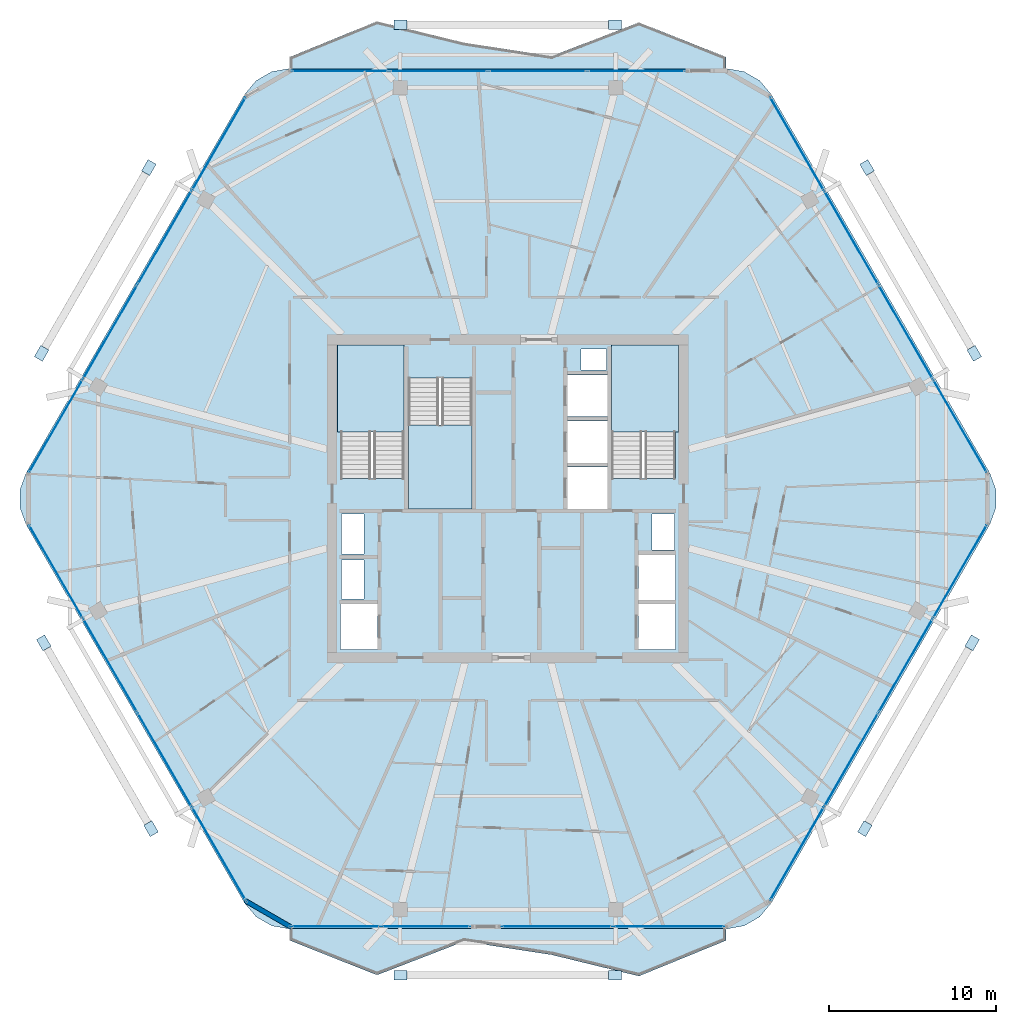
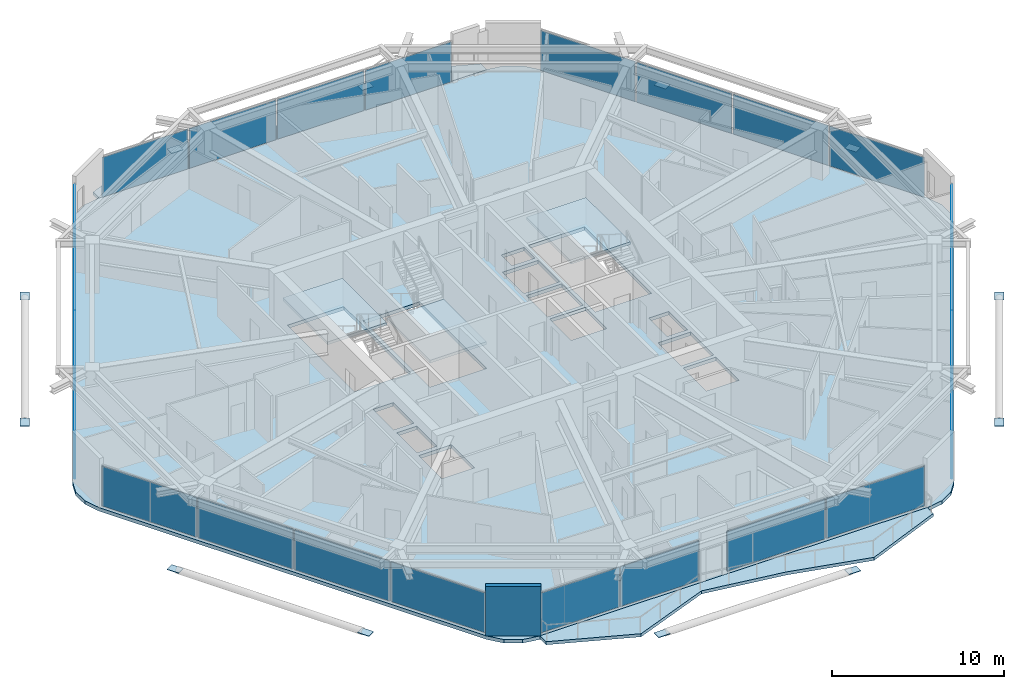
# One storey, part 18 of 26: 36 plates, 6 slabs, 1 wall, 10 elements without a shape of their own.
"""IFC4 building model written with IfcOpenShell, lengths in metres."""

import ifcopenshell
import ifcopenshell.guid

model = None  # the IFC model being written
_history = None  # IfcOwnerHistory: only IFC2X3 demands one
_inside = {}  # id of a spatial element -> (the spatial element, [elements in it])
_under = {}  # id of a project, library or spatial element -> (it, [spatial elements below it])
_declared = {}  # id of a project -> (the project, [libraries it declares])
_typed = {}  # id of a type object -> (the type object, [elements of that type])
_made_of = {}  # id of a material, layer set ... -> (it, [elements and type objects made of it])


def new_model(schema):
    """Start an empty IFC model of exactly this schema.

    Asked for "IFC4X3", IfcOpenShell would pick the latest addendum, in which some entities
    have other attributes; the version numbers below select the first issue.
    IFC2X3 requires an IfcOwnerHistory on every rooted entity: one is made here for all.
    """
    global model, _history
    if schema == "IFC4X3":
        model = ifcopenshell.file(schema_version=(4, 3, 0, 0))
    else:
        model = ifcopenshell.file(schema=schema)
    _inside.clear()
    _under.clear()
    _declared.clear()
    _typed.clear()
    _made_of.clear()
    _history = None
    if model.schema == "IFC2X3":
        org = make("IfcOrganization", Name="unknown")
        user = make(
            "IfcPersonAndOrganization",
            ThePerson=make("IfcPerson", FamilyName="unknown"),
            TheOrganization=org,
        )
        app = make(
            "IfcApplication",
            ApplicationDeveloper=org,
            Version="unknown",
            ApplicationFullName="unknown",
            ApplicationIdentifier="unknown",
        )
        _history = make(
            "IfcOwnerHistory",
            OwningUser=user,
            OwningApplication=app,
            ChangeAction="ADDED",
            CreationDate=0,
        )
    return model


def make(cls, **values):
    """One entity of the class cls with the attributes given. An attribute that is None is left unset."""
    return model.create_entity(
        cls, **{name: value for name, value in values.items() if value is not None}
    )


def rooted(cls, **values):
    """An entity with a GlobalId (a new one), such as an element, a storey or a relation."""
    return make(cls, GlobalId=ifcopenshell.guid.new(), OwnerHistory=_history, **values)


def si_unit(unit_type, name, prefix=None):
    """IfcSIUnit, for example si_unit("LENGTHUNIT", "METRE", prefix="MILLI")."""
    return make("IfcSIUnit", UnitType=unit_type, Prefix=prefix, Name=name)


def assignment(units):
    """IfcUnitAssignment: the units of a project."""
    return None if units is None else make("IfcUnitAssignment", Units=units)


def point(xyz):
    """IfcCartesianPoint."""
    return None if xyz is None else make("IfcCartesianPoint", Coordinates=xyz)


def direction(xyz):
    """IfcDirection."""
    return None if xyz is None else make("IfcDirection", DirectionRatios=xyz)


def frame(location, z_axis=None, x_axis=None):
    """IfcAxis2Placement3D, a coordinate frame: its origin and axes. An axis left out is left unset."""
    return make(
        "IfcAxis2Placement3D",
        Location=point(location),
        Axis=direction(z_axis),
        RefDirection=direction(x_axis),
    )


def frame_2d(location, x_axis=None):
    """IfcAxis2Placement2D, a coordinate frame in the plane: its origin and x axis."""
    return make(
        "IfcAxis2Placement2D", Location=point(location), RefDirection=direction(x_axis)
    )


def origin():
    """The frame at (0, 0, 0) with its axes left unset."""
    return frame((0.0, 0.0, 0.0))


def origin_2d():
    """The frame at (0, 0) in the plane with its x axis left unset."""
    return frame_2d((0.0, 0.0))


def place(relative_to, where):
    """IfcLocalPlacement: puts the frame where relative to a parent placement (None: the world)."""
    return make(
        "IfcLocalPlacement", PlacementRelTo=relative_to, RelativePlacement=where
    )


def context(
    kind, dimensions, precision=None, world=None, true_north=None, identifier=None
):
    """IfcGeometricRepresentationContext, for example the 3D "Model" context."""
    return make(
        "IfcGeometricRepresentationContext",
        ContextIdentifier=identifier,
        ContextType=kind,
        CoordinateSpaceDimension=dimensions,
        Precision=precision,
        WorldCoordinateSystem=world,
        TrueNorth=true_north,
    )


def subcontext(parent, identifier, kind, view, scale=None):
    """IfcGeometricRepresentationSubContext, for example "Body" below "Model"."""
    return make(
        "IfcGeometricRepresentationSubContext",
        ContextIdentifier=identifier,
        ContextType=kind,
        ParentContext=parent,
        TargetScale=scale,
        TargetView=view,
    )


def project(units=None, contexts=None):
    """IfcProject with its units and contexts."""
    return rooted(
        "IfcProject",
        Name="project",
        RepresentationContexts=contexts,
        UnitsInContext=assignment(units),
    )


def spatial(cls, under=None, at=None, **own):
    """A site, building, storey or space (cls), placed at a placement, below another one or the project."""
    s = rooted(cls, ObjectPlacement=at, **own)
    if under is not None:
        _under.setdefault(under.id(), (under, []))[1].append(s)
    return s


def polyline(points):
    """IfcPolyline through the points."""
    return make("IfcPolyline", Points=[point(p) for p in points])


def profile(cls, at=None, kind="AREA", **sizes):
    """A parametric profile (cls). Its sizes go by their IFC names, for example OverallWidth=200.0."""
    return make(cls, ProfileType=kind, Position=at, **sizes)


def rectangle(**sizes):
    """IfcRectangleProfileDef."""
    return profile("IfcRectangleProfileDef", **sizes)


def outline(outer, holes=None, kind="AREA"):
    """IfcArbitraryClosedProfileDef: a profile drawn as a closed curve; with holes, ...WithVoids."""
    if holes is None:
        return make("IfcArbitraryClosedProfileDef", ProfileType=kind, OuterCurve=outer)
    return make(
        "IfcArbitraryProfileDefWithVoids",
        ProfileType=kind,
        OuterCurve=outer,
        InnerCurves=holes,
    )


def extrude(swept, where, along, depth):
    """IfcExtrudedAreaSolid: the profile swept, set in the frame where, extruded along a direction by depth."""
    return make(
        "IfcExtrudedAreaSolid",
        SweptArea=swept,
        Position=where,
        ExtrudedDirection=direction(along),
        Depth=depth,
    )


def shape(context_of_items, identifier, shape_type, items):
    """IfcShapeRepresentation: the items that make up one representation, for example the "Body"."""
    return make(
        "IfcShapeRepresentation",
        ContextOfItems=context_of_items,
        RepresentationIdentifier=identifier,
        RepresentationType=shape_type,
        Items=items,
    )


def material(Name=None, Category=None):
    """IfcMaterial."""
    return make("IfcMaterial", Name=Name, Category=Category)


def layer(
    of_material, thickness, ventilated=None, Name=None, Category=None, Priority=None
):
    """IfcMaterialLayer: one layer of a wall or slab, of a material (None: an air gap)."""
    return make(
        "IfcMaterialLayer",
        Material=of_material,
        LayerThickness=thickness,
        IsVentilated=ventilated,
        Name=Name,
        Category=Category,
        Priority=Priority,
    )


def layer_set(layers, Name=None):
    """IfcMaterialLayerSet."""
    return make("IfcMaterialLayerSet", MaterialLayers=layers, LayerSetName=Name)


def made_of(thing, what):
    """Note that an element or type object is made of a material, layer set ...; save() writes the relation."""
    if what is not None:
        _made_of.setdefault(what.id(), (what, []))[1].append(thing)
    return thing


def type_object(cls, material=None, **own):
    """A type object (cls), such as IfcWallType, which elements share."""
    return made_of(rooted(cls, **own), material)


def element(
    cls,
    number,
    at=None,
    inside=None,
    cuts=None,
    type_object=None,
    material=None,
    context=None,
    identifier="Body",
    shape_type=None,
    held_by="IfcProductDefinitionShape",
    body=None,
    shapes=None,
    **own,
):
    """One element of the class cls, such as IfcWall. Its Tag is "e" and its number.

    at: its placement. inside: the storey or other place that contains it. cuts: it is an
    opening in that element (IfcRelVoidsElement). A single representation is given by context,
    identifier, shape_type and body (its items); several are given by shapes. held_by: the class
    of the entity that holds the representations. save() writes the other relations.
    """
    e = rooted(cls, Tag="e%d" % number, ObjectPlacement=at, **own)
    if body is not None:
        shapes = [shape(context, identifier, shape_type, body)]
    if shapes is not None:
        e.Representation = make(held_by, Representations=shapes)
    if inside is not None:
        _inside.setdefault(inside.id(), (inside, []))[1].append(e)
    if cuts is not None:
        rooted(
            "IfcRelVoidsElement", RelatingBuildingElement=cuts, RelatedOpeningElement=e
        )
    if type_object is not None:
        _typed.setdefault(type_object.id(), (type_object, []))[1].append(e)
    return made_of(e, material)


def aggregate(whole, parts):
    """IfcRelAggregates: a whole, such as a stair, and the parts it consists of."""
    return rooted("IfcRelAggregates", RelatingObject=whole, RelatedObjects=parts)


def save(model, path):
    """Write the relations noted so far, then the file.

    IfcRelAggregates (storeys below a building ...), IfcRelContainedInSpatialStructure (elements
    in a storey), IfcRelDefinesByType, IfcRelAssociatesMaterial and IfcRelDeclares: one each for
    every whole, place, type object, material and project.
    """
    for whole, parts in _under.values():
        aggregate(whole, parts)
    for where, things in _inside.values():
        rooted(
            "IfcRelContainedInSpatialStructure",
            RelatedElements=things,
            RelatingStructure=where,
        )
    for kind, things in _typed.values():
        rooted("IfcRelDefinesByType", RelatedObjects=things, RelatingType=kind)
    for what, things in _made_of.values():
        rooted("IfcRelAssociatesMaterial", RelatedObjects=things, RelatingMaterial=what)
    for by, libraries in _declared.values():
        rooted("IfcRelDeclares", RelatingContext=by, RelatedDefinitions=libraries)
    model.write(path)


model = new_model("IFC4")

# Units and contexts
model_context = context("Model", 3, precision=1e-05, world=origin(), true_north=direction((0.0, 1.0)))
body_context = subcontext(model_context, "Body", "Model", "MODEL_VIEW")
ifc_project = project(units=[si_unit("LENGTHUNIT", "METRE"), si_unit("AREAUNIT", "SQUARE_METRE"), si_unit("VOLUMEUNIT", "CUBIC_METRE"), si_unit("PLANEANGLEUNIT", "RADIAN"), si_unit("MASSUNIT", "GRAM", prefix="KILO")], contexts=[model_context])

# Site, building, storey
site_placement = place(None, origin())
site = spatial("IfcSite", under=ifc_project, at=site_placement, CompositionType="ELEMENT")
building_placement = place(site_placement, origin())
building = spatial("IfcBuilding", under=site, at=building_placement, Name="Zuhravey Tower", CompositionType="ELEMENT")
storey_placement = place(building_placement, frame((0.0, 0.0, 299.60009765625)))
storey = spatial("IfcBuildingStorey", under=building, at=storey_placement, Name="L76", CompositionType="ELEMENT", Elevation=299.60009765625)

# Plates
ifc_material_1 = material(Name="Steel SM460", Category="steel")
ifc_layer_1 = layer(ifc_material_1, 0.031982421875)
ifc_layer_set_1 = layer_set([ifc_layer_1], Name="Steel SM460")
plate_type_1 = type_object("IfcPlateType", Name="Exoskeleton Zone 3 Node Plate ND3", PredefinedType="SHEET", material=ifc_layer_set_1)
for number, where, z_axis, x_axis, name in (
    (1, (63.86279296875, 40.6875, -0.47998046875), (0.0, 0.0, 1.0), (-0.5, 0.866025403784, 0.0), "L76 Exoskeleton Node Gusset L76-01"),
    (2, (57.455078125, 51.785888671875, -0.47998046875), (0.0, 0.0, 1.0), (-0.5, 0.866025403784, 0.0), "L76 Exoskeleton Node Gusset L76-02"),
    (3, (42.40771484375, 60.323486328125, -0.47998046875), (0.0, 0.0, 1.0), (-1.0, 0.0, 0.0), "L76 Exoskeleton Node Gusset L76-03"),
    (4, (29.59228515625, 60.323486328125, -0.47998046875), (0.0, 0.0, 1.0), (-1.0, 0.0, 0.0), "L76 Exoskeleton Node Gusset L76-04"),
    (5, (14.544921875, 51.785888671875, -0.47998046875), (0.0, 0.0, 1.0), (-0.5, -0.866025403784, 0.0), "L76 Exoskeleton Node Gusset L76-05"),
    (6, (8.13720703125, 40.6875, -0.47998046875), (0.0, 0.0, 1.0), (-0.5, -0.866025403784, 0.0), "L76 Exoskeleton Node Gusset L76-06"),
    (7, (8.26708984375, 23.387451171875, -0.47998046875), (0.0, 0.0, 1.0), (0.5, -0.866025403784, 0.0), "L76 Exoskeleton Node Gusset L76-07"),
    (8, (14.6748046875, 12.2890625, -0.47998046875), (0.0, 0.0, 1.0), (0.5, -0.866025403784, 0.0), "L76 Exoskeleton Node Gusset L76-08"),
    (9, (29.59228515625, 3.5263671875, -0.47998046875), (0.0, 0.0, 1.0), (1.0, 0.0, 0.0), "L76 Exoskeleton Node Gusset L76-09"),
    (10, (42.40771484375, 3.5263671875, -0.47998046875), (0.0, 0.0, 1.0), (1.0, 0.0, 0.0), "L76 Exoskeleton Node Gusset L76-10"),
    (11, (57.3251953125, 12.2890625, -0.47998046875), (0.0, 0.0, 1.0), (0.5, 0.866025403784, 0.0), "L76 Exoskeleton Node Gusset L76-11"),
    (12, (63.73291015625, 23.387451171875, -0.47998046875), (0.0, 0.0, 1.0), (0.5, 0.866025403784, 0.0), "L76 Exoskeleton Node Gusset L76-12"),
):
    element("IfcPlate", number, at=place(storey_placement, frame(where, z_axis=z_axis, x_axis=x_axis)), inside=storey, type_object=plate_type_1, Name=name, PredefinedType="SHEET", context=body_context, shape_type="SweptSolid", body=[
        extrude(rectangle(XDim=0.780029296875, YDim=0.56005859375, at=origin_2d()), origin(), (0.0, 0.0, 1.0), 0.031982421875),
    ])

# Slabs
ifc_material_2 = material(Name="Concrete C50/60", Category="concrete")
ifc_layer_2 = layer(ifc_material_2, 0.25)
ifc_layer_set_2 = layer_set([ifc_layer_2], Name="Concrete C50/60")
slab_type_1 = type_object("IfcSlabType", Name="Residential Acoustic Slab 250", PredefinedType="FLOOR", material=ifc_layer_set_2)
slab_1_placement = place(storey_placement, frame((0.0, 0.0, -0.25)))
element("IfcSlab", 13, at=slab_1_placement, inside=storey, type_object=slab_type_1, Name="L76 Floor Slab FS25", PredefinedType="FLOOR", context=body_context, shape_type="SweptSolid", body=[
    extrude(outline(polyline([(64.78515625, 30.449951171875), (65.1533203125, 31.461669921875), (65.1533203125, 32.538330078125), (64.78515625, 33.550048828125), (51.73486328125, 56.153564453125), (51.04296875, 56.978515625), (50.110595703125, 57.5166015625), (49.05029296875, 57.70361328125), (22.94970703125, 57.70361328125), (21.889404296875, 57.5166015625), (20.95703125, 56.978515625), (20.26513671875, 56.153564453125), (7.21484375, 33.550048828125), (6.8466796875, 32.538330078125), (6.8466796875, 31.461669921875), (7.21484375, 30.449951171875), (20.26513671875, 7.846435546875), (20.95703125, 7.021484375), (21.889404296875, 6.4833984375), (22.94970703125, 6.29638671875), (49.05029296875, 6.29638671875), (50.110595703125, 6.4833984375), (51.04296875, 7.021484375), (51.73486328125, 7.846435546875), (64.78515625, 30.449951171875)]), holes=[polyline([(29.800048828125, 33.20068359375), (29.800048828125, 41.0), (26.0, 41.0), (26.0, 33.20068359375), (29.800048828125, 33.20068359375)]), polyline([(46.0, 33.20068359375), (46.0, 41.0), (42.199951171875, 41.0), (42.199951171875, 33.20068359375), (46.0, 33.20068359375)]), polyline([(30.050048828125, 39.199462890625), (30.050048828125, 31.39990234375), (33.85009765625, 31.39990234375), (33.85009765625, 39.199462890625), (30.050048828125, 39.199462890625)]), polyline([(39.550048828125, 31.39990234375), (41.949951171875, 31.39990234375), (41.949951171875, 33.89990234375), (39.550048828125, 33.89990234375), (39.550048828125, 31.39990234375)]), polyline([(39.550048828125, 34.14990234375), (41.949951171875, 34.14990234375), (41.949951171875, 36.64990234375), (39.550048828125, 36.64990234375), (39.550048828125, 34.14990234375)]), polyline([(39.550048828125, 36.89990234375), (41.949951171875, 36.89990234375), (41.949951171875, 39.39990234375), (39.550048828125, 39.39990234375), (39.550048828125, 36.89990234375)]), polyline([(26.0, 23.0), (28.199951171875, 23.0), (28.199951171875, 25.699951171875), (26.0, 25.699951171875), (26.0, 23.0)]), polyline([(43.800048828125, 23.0), (46.0, 23.0), (46.0, 25.699951171875), (43.800048828125, 25.699951171875), (43.800048828125, 23.0)]), polyline([(43.800048828125, 25.949951171875), (46.0, 25.949951171875), (46.0, 28.64990234375), (43.800048828125, 28.64990234375), (43.800048828125, 25.949951171875)]), polyline([(26.050048828125, 26.0), (27.39990234375, 26.0), (27.39990234375, 28.35009765625), (26.050048828125, 28.35009765625), (26.050048828125, 26.0)]), polyline([(26.050048828125, 28.699951171875), (27.39990234375, 28.699951171875), (27.39990234375, 31.10009765625), (26.050048828125, 31.10009765625), (26.050048828125, 28.699951171875)]), polyline([(44.60009765625, 28.949951171875), (45.949951171875, 28.949951171875), (45.949951171875, 31.10009765625), (44.60009765625, 31.10009765625), (44.60009765625, 28.949951171875)]), polyline([(40.35009765625, 39.699951171875), (41.89990234375, 39.699951171875), (41.89990234375, 40.949951171875), (40.35009765625, 40.949951171875), (40.35009765625, 39.699951171875)])]), origin(), (0.0, 0.0, 1.0), 0.25),
])
ifc_material_3 = material(Name="Concrete C40/50", Category="concrete")
ifc_layer_3 = layer(ifc_material_3, 0.219970703125)
ifc_layer_set_3 = layer_set([ifc_layer_3], Name="Concrete C40/50")
slab_type_2 = type_object("IfcSlabType", Name="Sinusoidal Residential Wave Balcony 220", PredefinedType="FLOOR", material=ifc_layer_set_3)
slab_2_placement = place(storey_placement, frame((0.0, 0.0, -0.22021484375)))
element("IfcSlab", 14, at=slab_2_placement, inside=storey, type_object=slab_type_2, Name="L76 Face 5 Wave Balcony WB22", PredefinedType="FLOOR", context=body_context, shape_type="SweptSolid", body=[
    extrude(outline(polyline([(22.95849609375, 6.311279296875), (49.04150390625, 6.311279296875), (49.04150390625, 5.611328125), (43.824951171875, 3.47900390625), (38.6083984375, 4.753173828125), (33.3916015625, 5.554931640625), (28.175048828125, 3.54345703125), (22.95849609375, 5.611328125), (22.95849609375, 6.311279296875)])), origin(), (0.0, 0.0, 1.0), 0.22021484375),
])
slab_3_placement = place(storey_placement, frame((0.0, 0.0, -0.22021484375)))
element("IfcSlab", 15, at=slab_3_placement, inside=storey, type_object=slab_type_2, Name="L76 Face 2 Wave Balcony WB22", PredefinedType="FLOOR", context=body_context, shape_type="SweptSolid", body=[
    extrude(outline(polyline([(49.04150390625, 57.688720703125), (22.95849609375, 57.688720703125), (22.95849609375, 58.388671875), (28.175048828125, 60.52099609375), (33.3916015625, 59.246826171875), (38.6083984375, 58.445068359375), (43.824951171875, 60.45654296875), (49.04150390625, 58.388671875), (49.04150390625, 57.688720703125)])), origin(), (0.0, 0.0, 1.0), 0.22021484375),
])

# Stair, slab
stair_type = type_object("IfcStairType", Name="Housing Storey Stair Assembly 3800", PredefinedType="HALF_TURN_STAIR", material=ifc_material_3)
stair_1_placement = place(storey_placement, origin())
stair_1 = element("IfcStair", 16, at=stair_1_placement, inside=storey, type_object=stair_type, Name="L76 Core Exit Stair ST1", PredefinedType="HALF_TURN_STAIR")
ifc_layer_4 = layer(ifc_material_3, 0.199951171875)
ifc_layer_set_4 = layer_set([ifc_layer_4], Name="Concrete C40/50")
slab_type_3 = type_object("IfcSlabType", Name="Stair Landing Slab 200", PredefinedType="LANDING", material=ifc_layer_set_4)
slab_4_placement = place(storey_placement, frame((0.0, 0.0, 1.699951171875)))
slab_4 = element("IfcSlab", 17, at=slab_4_placement, type_object=slab_type_3, Name="ST1 landing 1", PredefinedType="LANDING", context=body_context, shape_type="SweptSolid", body=[
    extrude(outline(polyline([(29.800048828125, 36.0), (29.800048828125, 41.197998046875), (25.802001953125, 41.197998046875), (25.802001953125, 36.0), (29.800048828125, 36.0)])), origin(), (0.0, 0.0, 1.0), 0.199951171875),
])
aggregate(stair_1, [slab_4])

stair_2_placement = place(storey_placement, origin())
stair_2 = element("IfcStair", 18, at=stair_2_placement, inside=storey, type_object=stair_type, Name="L76 Core Exit Stair ST2", PredefinedType="HALF_TURN_STAIR")
slab_5_placement = place(storey_placement, frame((0.0, 0.0, 1.699951171875)))
slab_5 = element("IfcSlab", 19, at=slab_5_placement, type_object=slab_type_3, Name="ST2 landing 1", PredefinedType="LANDING", context=body_context, shape_type="SweptSolid", body=[
    extrude(outline(polyline([(46.197998046875, 36.0), (46.197998046875, 41.197998046875), (42.199951171875, 41.197998046875), (42.199951171875, 36.0), (46.197998046875, 36.0)])), origin(), (0.0, 0.0, 1.0), 0.199951171875),
])
aggregate(stair_2, [slab_5])

stair_3_placement = place(storey_placement, origin())
stair_3 = element("IfcStair", 20, at=stair_3_placement, inside=storey, type_object=stair_type, Name="L76 Core Exit Stair ST3", PredefinedType="HALF_TURN_STAIR")
slab_6_placement = place(storey_placement, frame((0.0, 0.0, 1.699951171875)))
slab_6 = element("IfcSlab", 21, at=slab_6_placement, type_object=slab_type_3, Name="ST3 landing 1", PredefinedType="LANDING", context=body_context, shape_type="SweptSolid", body=[
    extrude(outline(polyline([(30.050048828125, 36.39990234375), (30.050048828125, 31.39990234375), (33.85009765625, 31.39990234375), (33.85009765625, 36.39990234375), (30.050048828125, 36.39990234375)])), origin(), (0.0, 0.0, 1.0), 0.199951171875),
])
aggregate(stair_3, [slab_6])

# Curtain wall, plates
ifc_material_4 = material(Name="Thermally broken anodised aluminium", Category="aluminium")
curtain_wall_type = type_object("IfcCurtainWallType", Name="Zone 3-4 High-Rise Curtain Wall CW4", PredefinedType="NOTDEFINED", material=ifc_material_4)
curtain_wall_1_placement = place(storey_placement, origin())
curtain_wall_1 = element("IfcCurtainWall", 22, at=curtain_wall_1_placement, inside=storey, type_object=curtain_wall_type, Name="L76 CW4 CW-L76-F6-1", PredefinedType="NOTDEFINED")
ifc_material_5 = material(Name="Triple low-E insulated vision glass", Category="glass")
ifc_layer_5 = layer(ifc_material_5, 0.0419921875)
ifc_layer_set_5 = layer_set([ifc_layer_5], Name="Triple low-E insulated vision glass")
plate_type_2 = type_object("IfcPlateType", Name="Triple Low-E Vision Panel", PredefinedType="CURTAIN_PANEL", material=ifc_layer_set_5)
plate_1_placement = place(storey_placement, frame((63.00732421875, 27.650634765625, 0.08984375), z_axis=(0.0, 0.0, 1.0), x_axis=(-0.500000957414, -0.866024851021, 0.0)))
plate_1 = element("IfcPlate", 23, at=plate_1_placement, type_object=plate_type_2, Name="CW4 panel 1.1", PredefinedType="CURTAIN_PANEL", context=body_context, shape_type="SweptSolid", body=[
    extrude(rectangle(XDim=6.371337890625, YDim=0.0419921875, at=origin_2d()), origin(), (0.0, 0.0, 1.0), 2.840087890625),
])
plate_2_placement = place(storey_placement, frame((59.765380859375, 22.03564453125, 0.08984375), z_axis=(0.0, 0.0, 1.0), x_axis=(-0.500000957414, -0.866024851021, 0.0)))
plate_2 = element("IfcPlate", 24, at=plate_2_placement, type_object=plate_type_2, Name="CW4 panel 2.1", PredefinedType="CURTAIN_PANEL", context=body_context, shape_type="SweptSolid", body=[
    extrude(rectangle(XDim=6.416259765625, YDim=0.0419921875, at=origin_2d()), origin(), (0.0, 0.0, 1.0), 2.840087890625),
])
plate_3_placement = place(storey_placement, frame((56.51220703125, 16.40087890625, 0.08984375), z_axis=(0.0, 0.0, 1.0), x_axis=(-0.500000957414, -0.866024851021, 0.0)))
plate_3 = element("IfcPlate", 25, at=plate_3_placement, type_object=plate_type_2, Name="CW4 panel 3.1", PredefinedType="CURTAIN_PANEL", context=body_context, shape_type="SweptSolid", body=[
    extrude(rectangle(XDim=6.416259765625, YDim=0.0419921875, at=origin_2d()), origin(), (0.0, 0.0, 1.0), 2.840087890625),
])
plate_4_placement = place(storey_placement, frame((53.270263671875, 10.78564453125, 0.08984375), z_axis=(0.0, 0.0, 1.0), x_axis=(-0.500000957414, -0.866024851021, 0.0)))
plate_4 = element("IfcPlate", 26, at=plate_4_placement, type_object=plate_type_2, Name="CW4 panel 4.1", PredefinedType="CURTAIN_PANEL", context=body_context, shape_type="SweptSolid", body=[
    extrude(rectangle(XDim=6.371337890625, YDim=0.0419921875, at=origin_2d()), origin(), (0.0, 0.0, 1.0), 2.840087890625),
])
aggregate(curtain_wall_1, [plate_1, plate_2, plate_3, plate_4])

curtain_wall_2_placement = place(storey_placement, origin())
curtain_wall_2 = element("IfcCurtainWall", 27, at=curtain_wall_2_placement, inside=storey, type_object=curtain_wall_type, Name="L76 CW4 CW-L76-F5-1", PredefinedType="NOTDEFINED")
plate_5_placement = place(storey_placement, frame((45.618408203125, 6.436279296875, 0.08984375), z_axis=(0.0, 0.0, 1.0), x_axis=(-1.0, 0.0, 0.0)))
plate_5 = element("IfcPlate", 28, at=plate_5_placement, type_object=plate_type_2, Name="CW4 panel 1.1", PredefinedType="CURTAIN_PANEL", context=body_context, shape_type="SweptSolid", body=[
    extrude(rectangle(XDim=6.608642578125, YDim=0.0419921875, at=origin_2d()), origin(), (0.0, 0.0, 1.0), 2.840087890625),
])
plate_6_placement = place(storey_placement, frame((38.919921875, 6.436279296875, 0.08984375), z_axis=(0.0, 0.0, 1.0), x_axis=(-1.0, 0.0, 0.0)))
plate_6 = element("IfcPlate", 29, at=plate_6_placement, type_object=plate_type_2, Name="CW4 panel 2.1", PredefinedType="CURTAIN_PANEL", context=body_context, shape_type="SweptSolid", body=[
    extrude(rectangle(XDim=6.608642578125, YDim=0.0419921875, at=origin_2d()), origin(), (0.0, 0.0, 1.0), 2.840087890625),
])
aggregate(curtain_wall_2, [plate_5, plate_6])

curtain_wall_3_placement = place(storey_placement, origin())
curtain_wall_3 = element("IfcCurtainWall", 30, at=curtain_wall_3_placement, inside=storey, type_object=curtain_wall_type, Name="L76 CW4 CW-L76-F5-2", PredefinedType="NOTDEFINED")
plate_7_placement = place(storey_placement, frame((31.093505859375, 6.436279296875, 0.08984375), z_axis=(0.0, 0.0, 1.0), x_axis=(-1.0, 0.0, 0.0)))
plate_7 = element("IfcPlate", 31, at=plate_7_placement, type_object=plate_type_2, Name="CW4 panel 1.1", PredefinedType="CURTAIN_PANEL", context=body_context, shape_type="SweptSolid", body=[
    extrude(rectangle(XDim=5.2841796875, YDim=0.0419921875, at=origin_2d()), origin(), (0.0, 0.0, 1.0), 2.840087890625),
])
plate_8_placement = place(storey_placement, frame((25.719482421875, 6.436279296875, 0.08984375), z_axis=(0.0, 0.0, 1.0), x_axis=(-1.0, 0.0, 0.0)))
plate_8 = element("IfcPlate", 32, at=plate_8_placement, type_object=plate_type_2, Name="CW4 panel 2.1", PredefinedType="CURTAIN_PANEL", context=body_context, shape_type="SweptSolid", body=[
    extrude(rectangle(XDim=5.2841796875, YDim=0.0419921875, at=origin_2d()), origin(), (0.0, 0.0, 1.0), 2.840087890625),
])
aggregate(curtain_wall_3, [plate_7, plate_8])

curtain_wall_4_placement = place(storey_placement, origin())
curtain_wall_4 = element("IfcCurtainWall", 33, at=curtain_wall_4_placement, inside=storey, type_object=curtain_wall_type, Name="L76 CW4 CW-L76-F4-1", PredefinedType="NOTDEFINED")
plate_9_placement = place(storey_placement, frame((18.729736328125, 10.78564453125, 0.08984375), z_axis=(0.0, 0.0, 1.0), x_axis=(-0.500000957414, 0.866024851021, 0.0)))
plate_9 = element("IfcPlate", 34, at=plate_9_placement, type_object=plate_type_2, Name="CW4 panel 1.1", PredefinedType="CURTAIN_PANEL", context=body_context, shape_type="SweptSolid", body=[
    extrude(rectangle(XDim=6.371337890625, YDim=0.0419921875, at=origin_2d()), origin(), (0.0, 0.0, 1.0), 2.840087890625),
])
plate_10_placement = place(storey_placement, frame((15.48779296875, 16.40087890625, 0.08984375), z_axis=(0.0, 0.0, 1.0), x_axis=(-0.500000957414, 0.866024851021, 0.0)))
plate_10 = element("IfcPlate", 35, at=plate_10_placement, type_object=plate_type_2, Name="CW4 panel 2.1", PredefinedType="CURTAIN_PANEL", context=body_context, shape_type="SweptSolid", body=[
    extrude(rectangle(XDim=6.416259765625, YDim=0.0419921875, at=origin_2d()), origin(), (0.0, 0.0, 1.0), 2.840087890625),
])
plate_11_placement = place(storey_placement, frame((12.234619140625, 22.03564453125, 0.08984375), z_axis=(0.0, 0.0, 1.0), x_axis=(-0.500000957414, 0.866024851021, 0.0)))
plate_11 = element("IfcPlate", 36, at=plate_11_placement, type_object=plate_type_2, Name="CW4 panel 3.1", PredefinedType="CURTAIN_PANEL", context=body_context, shape_type="SweptSolid", body=[
    extrude(rectangle(XDim=6.416259765625, YDim=0.0419921875, at=origin_2d()), origin(), (0.0, 0.0, 1.0), 2.840087890625),
])
plate_12_placement = place(storey_placement, frame((8.99267578125, 27.650634765625, 0.08984375), z_axis=(0.0, 0.0, 1.0), x_axis=(-0.500000957414, 0.866024851021, 0.0)))
plate_12 = element("IfcPlate", 37, at=plate_12_placement, type_object=plate_type_2, Name="CW4 panel 4.1", PredefinedType="CURTAIN_PANEL", context=body_context, shape_type="SweptSolid", body=[
    extrude(rectangle(XDim=6.371337890625, YDim=0.0419921875, at=origin_2d()), origin(), (0.0, 0.0, 1.0), 2.840087890625),
])
aggregate(curtain_wall_4, [plate_9, plate_10, plate_11, plate_12])

curtain_wall_5_placement = place(storey_placement, origin())
curtain_wall_5 = element("IfcCurtainWall", 38, at=curtain_wall_5_placement, inside=storey, type_object=curtain_wall_type, Name="L76 CW4 CW-L76-F3-1", PredefinedType="NOTDEFINED")
plate_13_placement = place(storey_placement, frame((8.99267578125, 36.349365234375, 0.08984375), z_axis=(0.0, 0.0, 1.0), x_axis=(0.500000957414, 0.866024851021, 0.0)))
plate_13 = element("IfcPlate", 39, at=plate_13_placement, type_object=plate_type_2, Name="CW4 panel 1.1", PredefinedType="CURTAIN_PANEL", context=body_context, shape_type="SweptSolid", body=[
    extrude(rectangle(XDim=6.371337890625, YDim=0.0419921875, at=origin_2d()), origin(), (0.0, 0.0, 1.0), 2.840087890625),
])
plate_14_placement = place(storey_placement, frame((12.234619140625, 41.96435546875, 0.08984375), z_axis=(0.0, 0.0, 1.0), x_axis=(0.500000957414, 0.866024851021, 0.0)))
plate_14 = element("IfcPlate", 40, at=plate_14_placement, type_object=plate_type_2, Name="CW4 panel 2.1", PredefinedType="CURTAIN_PANEL", context=body_context, shape_type="SweptSolid", body=[
    extrude(rectangle(XDim=6.416259765625, YDim=0.0419921875, at=origin_2d()), origin(), (0.0, 0.0, 1.0), 2.840087890625),
])
plate_15_placement = place(storey_placement, frame((15.48779296875, 47.59912109375, 0.08984375), z_axis=(0.0, 0.0, 1.0), x_axis=(0.500000957414, 0.866024851021, 0.0)))
plate_15 = element("IfcPlate", 41, at=plate_15_placement, type_object=plate_type_2, Name="CW4 panel 3.1", PredefinedType="CURTAIN_PANEL", context=body_context, shape_type="SweptSolid", body=[
    extrude(rectangle(XDim=6.416259765625, YDim=0.0419921875, at=origin_2d()), origin(), (0.0, 0.0, 1.0), 2.840087890625),
])
plate_16_placement = place(storey_placement, frame((18.729736328125, 53.21435546875, 0.08984375), z_axis=(0.0, 0.0, 1.0), x_axis=(0.500000957414, 0.866024851021, 0.0)))
plate_16 = element("IfcPlate", 42, at=plate_16_placement, type_object=plate_type_2, Name="CW4 panel 4.1", PredefinedType="CURTAIN_PANEL", context=body_context, shape_type="SweptSolid", body=[
    extrude(rectangle(XDim=6.371337890625, YDim=0.0419921875, at=origin_2d()), origin(), (0.0, 0.0, 1.0), 2.840087890625),
])
aggregate(curtain_wall_5, [plate_13, plate_14, plate_15, plate_16])

curtain_wall_6_placement = place(storey_placement, origin())
curtain_wall_6 = element("IfcCurtainWall", 43, at=curtain_wall_6_placement, inside=storey, type_object=curtain_wall_type, Name="L76 CW4 CW-L76-F2-1", PredefinedType="NOTDEFINED")
plate_17_placement = place(storey_placement, frame((25.96923828125, 57.563720703125, 0.08984375), z_axis=(0.0, 0.0, 1.0), x_axis=(1.0, 0.0, 0.0)))
plate_17 = element("IfcPlate", 44, at=plate_17_placement, type_object=plate_type_2, Name="CW4 panel 1.1", PredefinedType="CURTAIN_PANEL", context=body_context, shape_type="SweptSolid", body=[
    extrude(rectangle(XDim=5.783935546875, YDim=0.0419921875, at=origin_2d()), origin(), (0.0, 0.0, 1.0), 2.840087890625),
])
plate_18_placement = place(storey_placement, frame((31.865478515625, 57.563720703125, 0.08984375), z_axis=(0.0, 0.0, 1.0), x_axis=(1.0, 0.0, 0.0)))
plate_18 = element("IfcPlate", 45, at=plate_18_placement, type_object=plate_type_2, Name="CW4 panel 2.1", PredefinedType="CURTAIN_PANEL", context=body_context, shape_type="SweptSolid", body=[
    extrude(rectangle(XDim=5.828857421875, YDim=0.0419921875, at=origin_2d()), origin(), (0.0, 0.0, 1.0), 2.840087890625),
])
plate_19_placement = place(storey_placement, frame((37.784423828125, 57.563720703125, 0.08984375), z_axis=(0.0, 0.0, 1.0), x_axis=(1.0, 0.0, 0.0)))
plate_19 = element("IfcPlate", 46, at=plate_19_placement, type_object=plate_type_2, Name="CW4 panel 3.1", PredefinedType="CURTAIN_PANEL", context=body_context, shape_type="SweptSolid", body=[
    extrude(rectangle(XDim=5.828857421875, YDim=0.0419921875, at=origin_2d()), origin(), (0.0, 0.0, 1.0), 2.840087890625),
])
plate_20_placement = place(storey_placement, frame((43.6806640625, 57.563720703125, 0.08984375), z_axis=(0.0, 0.0, 1.0), x_axis=(1.0, 0.0, 0.0)))
plate_20 = element("IfcPlate", 47, at=plate_20_placement, type_object=plate_type_2, Name="CW4 panel 4.1", PredefinedType="CURTAIN_PANEL", context=body_context, shape_type="SweptSolid", body=[
    extrude(rectangle(XDim=5.783935546875, YDim=0.0419921875, at=origin_2d()), origin(), (0.0, 0.0, 1.0), 2.840087890625),
])
aggregate(curtain_wall_6, [plate_17, plate_18, plate_19, plate_20])

curtain_wall_7_placement = place(storey_placement, origin())
curtain_wall_7 = element("IfcCurtainWall", 48, at=curtain_wall_7_placement, inside=storey, type_object=curtain_wall_type, Name="L76 CW4 CW-L76-F1-1", PredefinedType="NOTDEFINED")
plate_21_placement = place(storey_placement, frame((53.270263671875, 53.21435546875, 0.08984375), z_axis=(0.0, 0.0, 1.0), x_axis=(0.500000957414, -0.866024851021, 0.0)))
plate_21 = element("IfcPlate", 49, at=plate_21_placement, type_object=plate_type_2, Name="CW4 panel 1.1", PredefinedType="CURTAIN_PANEL", context=body_context, shape_type="SweptSolid", body=[
    extrude(rectangle(XDim=6.371337890625, YDim=0.0419921875, at=origin_2d()), origin(), (0.0, 0.0, 1.0), 2.840087890625),
])
plate_22_placement = place(storey_placement, frame((56.51220703125, 47.59912109375, 0.08984375), z_axis=(0.0, 0.0, 1.0), x_axis=(0.500000957414, -0.866024851021, 0.0)))
plate_22 = element("IfcPlate", 50, at=plate_22_placement, type_object=plate_type_2, Name="CW4 panel 2.1", PredefinedType="CURTAIN_PANEL", context=body_context, shape_type="SweptSolid", body=[
    extrude(rectangle(XDim=6.416259765625, YDim=0.0419921875, at=origin_2d()), origin(), (0.0, 0.0, 1.0), 2.840087890625),
])
plate_23_placement = place(storey_placement, frame((59.765380859375, 41.96435546875, 0.08984375), z_axis=(0.0, 0.0, 1.0), x_axis=(0.500000957414, -0.866024851021, 0.0)))
plate_23 = element("IfcPlate", 51, at=plate_23_placement, type_object=plate_type_2, Name="CW4 panel 3.1", PredefinedType="CURTAIN_PANEL", context=body_context, shape_type="SweptSolid", body=[
    extrude(rectangle(XDim=6.416259765625, YDim=0.0419921875, at=origin_2d()), origin(), (0.0, 0.0, 1.0), 2.840087890625),
])
plate_24_placement = place(storey_placement, frame((63.00732421875, 36.349365234375, 0.08984375), z_axis=(0.0, 0.0, 1.0), x_axis=(0.500000957414, -0.866024851021, 0.0)))
plate_24 = element("IfcPlate", 52, at=plate_24_placement, type_object=plate_type_2, Name="CW4 panel 4.1", PredefinedType="CURTAIN_PANEL", context=body_context, shape_type="SweptSolid", body=[
    extrude(rectangle(XDim=6.371337890625, YDim=0.0419921875, at=origin_2d()), origin(), (0.0, 0.0, 1.0), 2.840087890625),
])
aggregate(curtain_wall_7, [plate_21, plate_22, plate_23, plate_24])

# Wall
ifc_material_6 = material(Name="Precast concrete C40/50", Category="concrete")
ifc_layer_6 = layer(ifc_material_6, 0.280029296875)
ifc_layer_set_6 = layer_set([ifc_layer_6], Name="Precast concrete C40/50")
wall_type = type_object("IfcWallType", Name="Crown Architectural Wall 280", PredefinedType="SOLIDWALL", material=ifc_layer_set_6)
wall_placement = place(storey_placement, frame((23.069580078125, 6.388916015625, 0.0), z_axis=(0.0, 0.0, 1.0), x_axis=(-0.866028773314, 0.499994163758, 0.0)))
element("IfcWall", 53, at=wall_placement, inside=storey, type_object=wall_type, Name="L76 Rounded Corner Closure Wall EW28-04", PredefinedType="SOLIDWALL", context=body_context, shape_type="SweptSolid", body=[
    extrude(rectangle(XDim=3.21484375, YDim=0.280029296875, at=frame_2d((1.607421875, 0.0))), origin(), (0.0, 0.0, 1.0), 3.52001953125),
])

save(model, "model.ifc")
